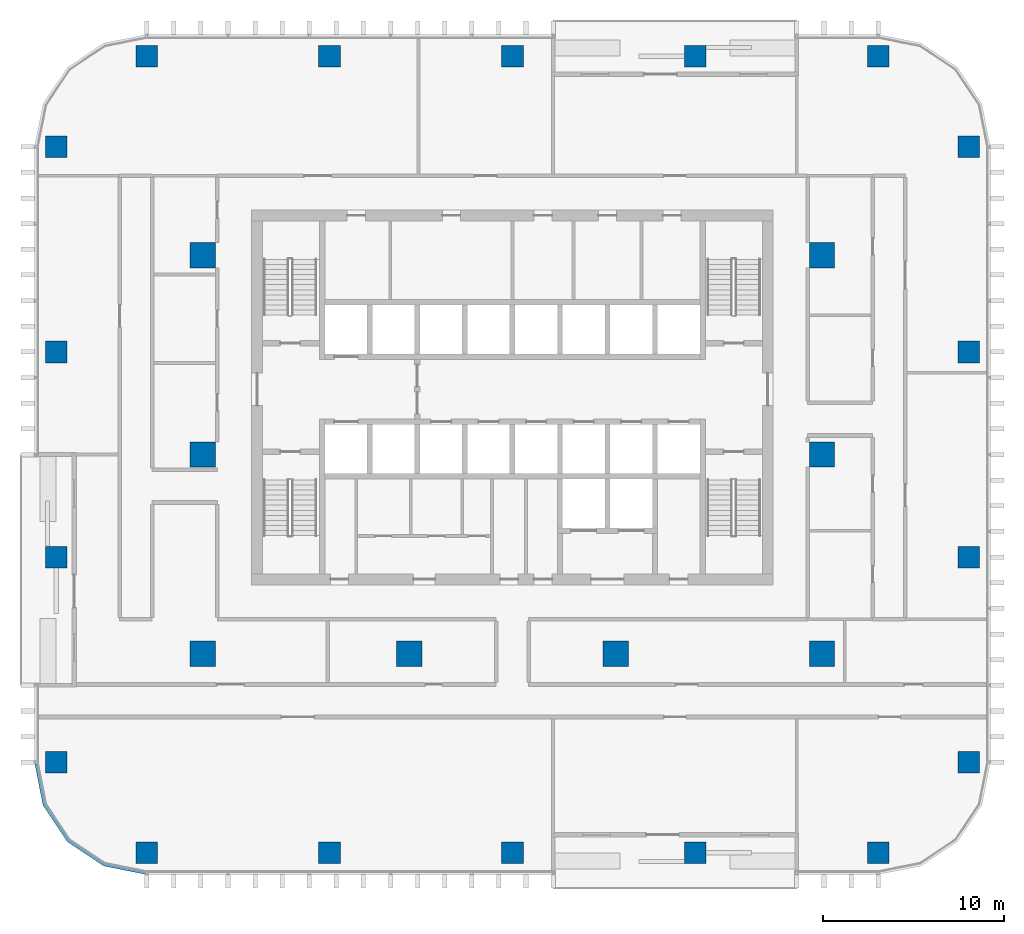
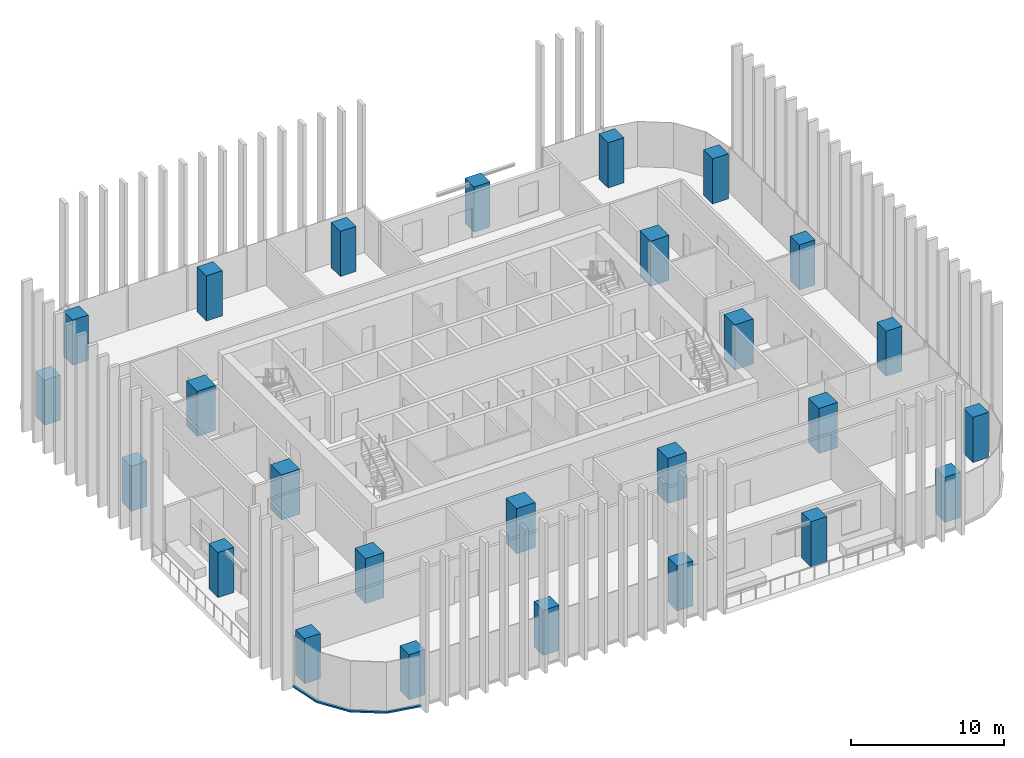
# One storey, part 1 of 16: 26 columns, 1 member, 1 element without a shape of its own.
"""IFC4 building model written with IfcOpenShell, lengths in metres."""

from ifc_helpers import new_model, si_unit, direction, frame, origin, origin_2d, place, context, subcontext, project, spatial, polyline, rectangle, outline, extrude, material, material_profile, profile_set, type_object, element, aggregate, save


model = new_model("IFC4")

# Units and contexts
model_context = context("Model", 3, precision=1e-05, world=origin(), true_north=direction((0.0, 1.0)))
body_context = subcontext(model_context, "Body", "Model", "MODEL_VIEW")
ifc_project = project(units=[si_unit("LENGTHUNIT", "METRE"), si_unit("AREAUNIT", "SQUARE_METRE"), si_unit("VOLUMEUNIT", "CUBIC_METRE"), si_unit("PLANEANGLEUNIT", "RADIAN"), si_unit("MASSUNIT", "GRAM", prefix="KILO")], contexts=[model_context])

# Site, building, storey
site_placement = place(None, origin())
site = spatial("IfcSite", under=ifc_project, at=site_placement, CompositionType="ELEMENT")
building_placement = place(site_placement, origin())
building = spatial("IfcBuilding", under=site, at=building_placement, Name="Mopane Tessera Tower", CompositionType="ELEMENT")
storey_placement = place(building_placement, frame((0.0, 0.0, 181.0)))
storey = spatial("IfcBuildingStorey", under=building, at=storey_placement, Name="L37", CompositionType="ELEMENT", Elevation=181.0)

# Columns
ifc_material_1 = material(Name="Concrete C50/60", Category="concrete")
ifc_material_profile_1 = material_profile(ifc_material_1, rectangle(XDim=1.39990234375, YDim=1.39990234375, at=origin_2d()))
ifc_profile_set_1 = profile_set([ifc_material_profile_1], Name="Concrete C50/60")
column_type_1 = type_object("IfcColumnType", Name="Interior column 1400 x 1400 C50/60", PredefinedType="COLUMN", material=ifc_profile_set_1)
for number, where, z_axis, x_axis, name in (
    (1, (-17.10009765625, -11.0, 0.0), (0.0, 0.0, 1.0), (1.0, 0.0, 0.0), "Interior column I1A L37"),
    (2, (-17.10009765625, 0.0, 0.0), (0.0, 0.0, 1.0), (1.0, 0.0, 0.0), "Interior column I1B L37"),
    (3, (-17.10009765625, 11.0, 0.0), (0.0, 0.0, 1.0), (1.0, 0.0, 0.0), "Interior column I1C L37"),
    (4, (-5.699951171875, -11.0, 0.0), (0.0, 0.0, 1.0), (1.0, 0.0, 0.0), "Interior column I2A L37"),
    (5, (5.699951171875, -11.0, 0.0), (0.0, 0.0, 1.0), (1.0, 0.0, 0.0), "Interior column I3A L37"),
    (6, (17.10009765625, -11.0, 0.0), (0.0, 0.0, 1.0), (1.0, 0.0, 0.0), "Interior column I4A L37"),
    (7, (17.10009765625, 0.0, 0.0), (0.0, 0.0, 1.0), (1.0, 0.0, 0.0), "Interior column I4B L37"),
    (8, (17.10009765625, 11.0, 0.0), (0.0, 0.0, 1.0), (1.0, 0.0, 0.0), "Interior column I4C L37"),
):
    element("IfcColumn", number, at=place(storey_placement, frame(where, z_axis=z_axis, x_axis=x_axis)), inside=storey, type_object=column_type_1, Name=name, PredefinedType="COLUMN", context=body_context, shape_type="SweptSolid", body=[
        extrude(rectangle(XDim=1.39990234375, YDim=1.39990234375, at=origin_2d()), origin(), (0.0, 0.0, 1.0), 3.60009765625),
    ])
ifc_material_2 = material(Name="Concrete C50/60", Category="concrete")
ifc_material_profile_2 = material_profile(ifc_material_2, rectangle(XDim=1.199951171875, YDim=1.199951171875, at=origin_2d()))
ifc_profile_set_2 = profile_set([ifc_material_profile_2], Name="Concrete C50/60")
column_type_2 = type_object("IfcColumnType", Name="Ring column 1200 x 1200 C50/60", PredefinedType="COLUMN", material=ifc_profile_set_2)
for number, where, z_axis, x_axis, name in (
    (9, (-20.199951171875, -22.0, 0.0), (0.0, 0.0, 1.0), (1.0, 0.0, 0.0), "Ring column S0 L37"),
    (10, (-10.10009765625, -22.0, 0.0), (0.0, 0.0, 1.0), (1.0, 0.0, 0.0), "Ring column S1 L37"),
    (11, (0.0, -22.0, 0.0), (0.0, 0.0, 1.0), (1.0, 0.0, 0.0), "Ring column S2 L37"),
    (12, (10.10009765625, -22.0, 0.0), (0.0, 0.0, 1.0), (1.0, 0.0, 0.0), "Ring column S3 L37"),
    (13, (20.199951171875, -22.0, 0.0), (0.0, 0.0, 1.0), (1.0, 0.0, 0.0), "Ring column S4 L37"),
    (14, (25.199951171875, -17.0, 0.0), (0.0, 0.0, 1.0), (1.0, 0.0, 0.0), "Ring column E0 L37"),
    (15, (25.199951171875, -5.666748046875, 0.0), (0.0, 0.0, 1.0), (1.0, 0.0, 0.0), "Ring column E1 L37"),
    (16, (25.199951171875, 5.666748046875, 0.0), (0.0, 0.0, 1.0), (1.0, 0.0, 0.0), "Ring column E2 L37"),
    (17, (25.199951171875, 17.0, 0.0), (0.0, 0.0, 1.0), (1.0, 0.0, 0.0), "Ring column E3 L37"),
    (18, (20.199951171875, 22.0, 0.0), (0.0, 0.0, 1.0), (1.0, 0.0, 0.0), "Ring column N0 L37"),
    (19, (10.10009765625, 22.0, 0.0), (0.0, 0.0, 1.0), (1.0, 0.0, 0.0), "Ring column N1 L37"),
    (20, (0.0, 22.0, 0.0), (0.0, 0.0, 1.0), (1.0, 0.0, 0.0), "Ring column N2 L37"),
    (21, (-10.10009765625, 22.0, 0.0), (0.0, 0.0, 1.0), (1.0, 0.0, 0.0), "Ring column N3 L37"),
    (22, (-20.199951171875, 22.0, 0.0), (0.0, 0.0, 1.0), (1.0, 0.0, 0.0), "Ring column N4 L37"),
    (23, (-25.199951171875, 17.0, 0.0), (0.0, 0.0, 1.0), (1.0, 0.0, 0.0), "Ring column W0 L37"),
    (24, (-25.199951171875, 5.666748046875, 0.0), (0.0, 0.0, 1.0), (1.0, 0.0, 0.0), "Ring column W1 L37"),
    (25, (-25.199951171875, -5.666748046875, 0.0), (0.0, 0.0, 1.0), (1.0, 0.0, 0.0), "Ring column W2 L37"),
    (26, (-25.199951171875, -17.0, 0.0), (0.0, 0.0, 1.0), (1.0, 0.0, 0.0), "Ring column W3 L37"),
):
    element("IfcColumn", number, at=place(storey_placement, frame(where, z_axis=z_axis, x_axis=x_axis)), inside=storey, type_object=column_type_2, Name=name, PredefinedType="COLUMN", context=body_context, shape_type="SweptSolid", body=[
        extrude(rectangle(XDim=1.199951171875, YDim=1.199951171875, at=origin_2d()), origin(), (0.0, 0.0, 1.0), 3.60009765625),
    ])

# Curtain wall, member
ifc_material_3 = material(Name="Aluminium frame", Category="aluminium")
curtain_wall_type = type_object("IfcCurtainWallType", Name="Unitised curtain wall", PredefinedType="NOTDEFINED", material=ifc_material_3)
curtain_wall_placement = place(storey_placement, origin())
curtain_wall = element("IfcCurtainWall", 27, at=curtain_wall_placement, inside=storey, type_object=curtain_wall_type, Name="e:cw:L37:CW", PredefinedType="NOTDEFINED")
ifc_material_4 = material(Name="Aluminium frame", Category="aluminium")
ifc_material_profile_3 = material_profile(ifc_material_4, rectangle(XDim=0.199951171875, YDim=0.1201171875, at=origin_2d()))
ifc_profile_set_3 = profile_set([ifc_material_profile_3], Name="Aluminium frame")
member_type = type_object("IfcMemberType", Name="Aluminium transom 200 x 120", PredefinedType="USERDEFINED", material=ifc_profile_set_3)
member_placement = place(storey_placement, frame((0.0, 0.0, -0.39990234375)))
member = element("IfcMember", 28, at=member_placement, type_object=member_type, Name="e:cw:L37:CW:tr", ObjectType="TRANSOM", PredefinedType="USERDEFINED", context=body_context, shape_type="SweptSolid", body=[
    extrude(outline(polyline([(-26.199951171875, -17.0), (-25.7431640625, -19.296142578125), (-24.442626953125, -21.24267578125), (-22.49609375, -22.543212890625), (-20.199951171875, -23.0), (-20.199951171875, -23.199951171875), (-22.57275390625, -22.72802734375), (-24.583984375, -21.384033203125), (-25.927978515625, -19.37255859375), (-26.39990234375, -17.0), (-26.199951171875, -17.0)])), origin(), (0.0, 0.0, 1.0), 0.119873046875),
])
aggregate(curtain_wall, [member])

save(model, "model.ifc")
